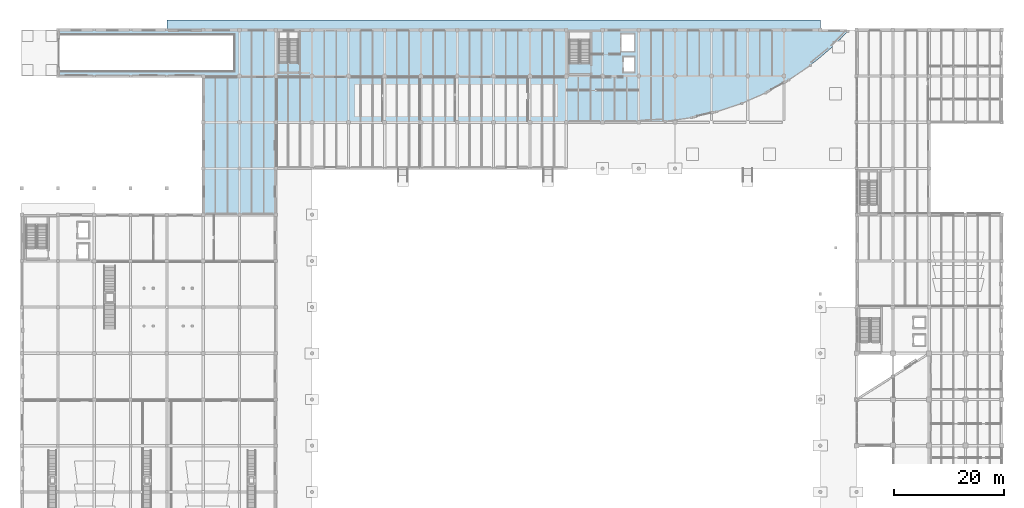
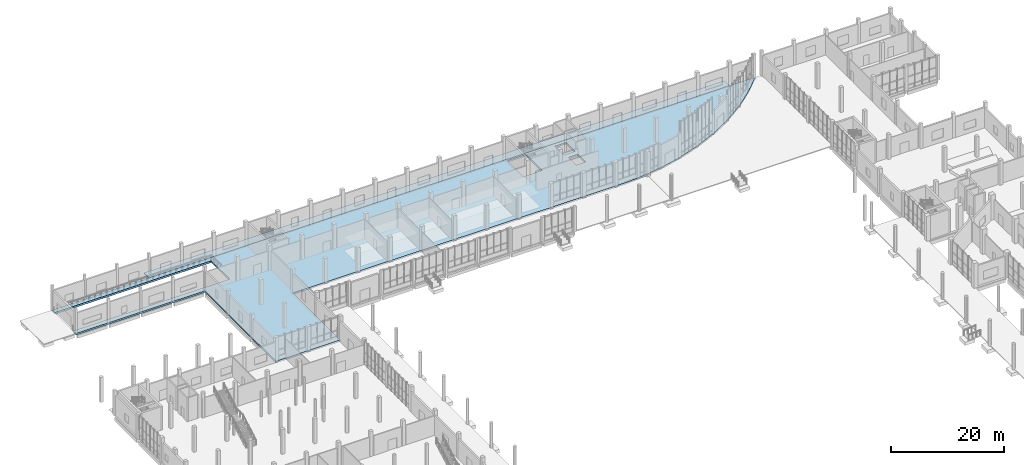
# One storey, part 32 of 64: 2 slabs.
"""IFC4 building model written with IfcOpenShell, lengths in metres."""

from ifc_helpers import new_model, si_unit, direction, frame, origin, place, context, subcontext, project, spatial, polyline, outline, extrude, material, layer, layer_set, type_object, element, save


model = new_model("IFC4")

# Units and contexts
model_context = context("Model", 3, precision=1e-05, world=origin(), true_north=direction((0.0, 1.0)))
body_context = subcontext(model_context, "Body", "Model", "MODEL_VIEW")
ifc_project = project(units=[si_unit("LENGTHUNIT", "METRE"), si_unit("AREAUNIT", "SQUARE_METRE"), si_unit("VOLUMEUNIT", "CUBIC_METRE"), si_unit("PLANEANGLEUNIT", "RADIAN"), si_unit("MASSUNIT", "GRAM", prefix="KILO")], contexts=[model_context])

# Site, building, storey
site_placement = place(None, origin())
site = spatial("IfcSite", under=ifc_project, at=site_placement, CompositionType="ELEMENT")
building_placement = place(site_placement, origin())
building = spatial("IfcBuilding", under=site, at=building_placement, Name="Qaldarim Faculty of Natural and Applied Sciences", CompositionType="ELEMENT")
storey_placement = place(building_placement, origin())
storey = spatial("IfcBuildingStorey", under=building, at=storey_placement, Name="L00", CompositionType="ELEMENT", Elevation=0.0)

# Slabs
ifc_material = material(Name="Concrete C40/50", Category="concrete")
ifc_layer_1 = layer(ifc_material, 0.199951171875)
ifc_layer_set_1 = layer_set([ifc_layer_1], Name="Concrete C40/50")
slab_type_1 = type_object("IfcSlabType", Name="ColonnadeDeckSlab-200", PredefinedType="FLOOR", material=ifc_layer_set_1)
slab_1_placement = place(storey_placement, frame((0.0, 0.0, -0.199951171875)))
element("IfcSlab", 1, at=slab_1_placement, inside=storey, type_object=slab_type_1, Name="North laboratory exit and service walkway L00", PredefinedType="FLOOR", context=body_context, shape_type="SweptSolid", body=[
    extrude(outline(polyline([(26.39990234375, 119.39990234375), (145.199951171875, 119.39990234375), (145.199951171875, 117.60009765625), (26.39990234375, 117.60009765625), (26.39990234375, 119.39990234375)])), origin(), (0.0, 0.0, 1.0), 0.199951171875),
])
ifc_layer_2 = layer(ifc_material, 0.360107421875)
ifc_layer_set_2 = layer_set([ifc_layer_2], Name="Concrete C40/50")
slab_type_2 = type_object("IfcSlabType", Name="GroundFloorSlab-360", PredefinedType="FLOOR", material=ifc_layer_set_2)
slab_2_placement = place(storey_placement, frame((0.0, 0.0, -0.360107421875)))
element("IfcSlab", 2, at=slab_2_placement, inside=storey, type_object=slab_type_2, Name="Floor slab L00 V4", PredefinedType="FLOOR", context=body_context, shape_type="SweptSolid", body=[
    extrude(outline(polyline([(33.0, 84.0), (33.0, 109.199951171875), (6.60009765625, 109.199951171875), (6.60009765625, 110.14990234375), (38.60009765625, 110.14990234375), (38.60009765625, 116.64990234375), (6.60009765625, 116.64990234375), (6.60009765625, 117.60009765625), (150.47509765625, 117.60009765625), (148.81494140625, 115.8798828125), (147.080078125, 114.235107421875), (145.27490234375, 112.675048828125), (143.39501953125, 111.195068359375), (141.449951171875, 109.804931640625), (139.445068359375, 108.510009765625), (137.3798828125, 107.304931640625), (135.264892578125, 106.195068359375), (133.10009765625, 105.18505859375), (130.889892578125, 104.27490234375), (128.639892578125, 103.469970703125), (126.360107421875, 102.764892578125), (124.044921875, 102.1650390625), (121.705078125, 101.675048828125), (119.344970703125, 101.294921875), (116.97509765625, 101.02001953125), (114.590087890625, 100.85498046875), (112.199951171875, 100.800048828125), (46.199951171875, 100.800048828125), (46.199951171875, 84.0), (33.0, 84.0)]), holes=[polyline([(103.35009765625, 111.514892578125), (103.35009765625, 117.219970703125), (99.550048828125, 117.219970703125), (99.550048828125, 111.514892578125), (103.35009765625, 111.514892578125)]), polyline([(109.449951171875, 109.949951171875), (111.35009765625, 109.949951171875), (111.35009765625, 112.64990234375), (109.449951171875, 112.64990234375), (109.449951171875, 109.949951171875)]), polyline([(109.050048828125, 113.75), (111.35009765625, 113.75), (111.35009765625, 116.85009765625), (109.050048828125, 116.85009765625), (109.050048828125, 113.75)])]), origin(), (0.0, 0.0, 1.0), 0.360107421875),
])

save(model, "model.ifc")
